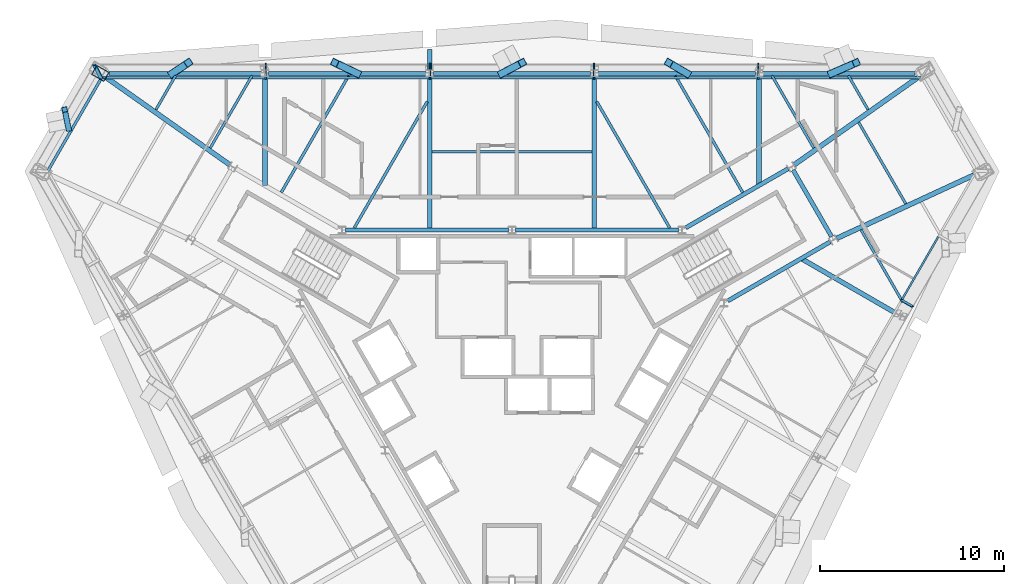
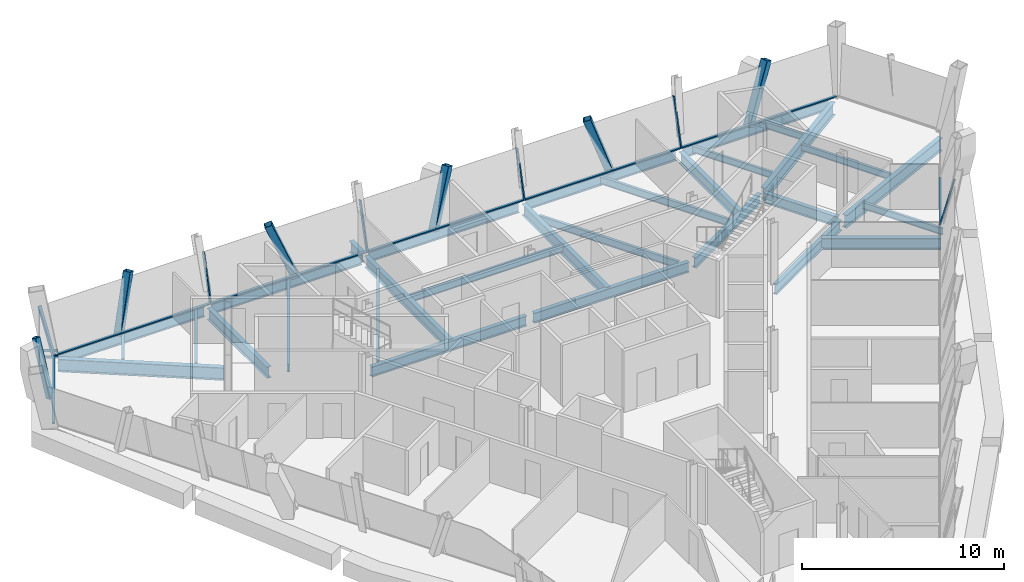
# One storey, part 5 of 13: 30 beams, 20 members, 3 elements without a shape of their own.
"""IFC4 building model written with IfcOpenShell, lengths in metres."""

from ifc_helpers import new_model, si_unit, direction, frame, origin, origin_2d, place, context, subcontext, project, spatial, rectangle, hollow_rectangle, i_section, extrude, material, material_profile, profile_set, type_object, element, aggregate, save


model = new_model("IFC4")

# Units and contexts
model_context = context("Model", 3, precision=1e-05, world=origin(), true_north=direction((0.0, 1.0)))
body_context = subcontext(model_context, "Body", "Model", "MODEL_VIEW")
ifc_project = project(units=[si_unit("LENGTHUNIT", "METRE"), si_unit("AREAUNIT", "SQUARE_METRE"), si_unit("VOLUMEUNIT", "CUBIC_METRE"), si_unit("PLANEANGLEUNIT", "RADIAN"), si_unit("MASSUNIT", "GRAM", prefix="KILO")], contexts=[model_context])

# Site, building, storey
site_placement = place(None, origin())
site = spatial("IfcSite", under=ifc_project, at=site_placement, CompositionType="ELEMENT")
building_placement = place(site_placement, origin())
building = spatial("IfcBuilding", under=site, at=building_placement, Name="Verrane Prism Tower", CompositionType="ELEMENT")
storey_placement = place(building_placement, frame((0.0, 0.0, 243.39990234375)))
storey = spatial("IfcBuildingStorey", under=building, at=storey_placement, Name="L61", CompositionType="ELEMENT", Elevation=243.39990234375)

# Member
ifc_material_1 = material(Name="Steel A500 Grade C", Category="steel")
ifc_material_profile_1 = material_profile(ifc_material_1, hollow_rectangle(XDim=0.3046875, YDim=0.3046875, WallThickness=0.0126953125, InnerFilletRadius=0.00634765625, OuterFilletRadius=0.01904296875, at=origin_2d()), Name="HSS12x12x1/2")
ifc_profile_set_1 = profile_set([ifc_material_profile_1], Name="Steel A500 Grade C")
member_type_1 = type_object("IfcMemberType", Name="Chamfer brace HSS12x12x1/2", PredefinedType="BRACE", material=ifc_profile_set_1)
member_1_placement = place(storey_placement, frame((-24.163818359375, 13.526611328125, -0.242431640625), z_axis=(-0.065135196987, 0.315712381741, 0.946616658489), x_axis=(-0.979373884975, -0.202056411502, 0.0)))
element("IfcMember", 1, at=member_1_placement, inside=storey, type_object=member_type_1, Name="Chamfer brace NW0 L61", PredefinedType="BRACE", context=body_context, shape_type="SweptSolid", body=[
    extrude(hollow_rectangle(XDim=0.3046875, YDim=0.3046875, WallThickness=0.0126953125, InnerFilletRadius=0.00634765625, OuterFilletRadius=0.01904296875, at=origin_2d()), origin(), (0.0, 0.0, 1.0), 3.283447265625),
])

# Beams
ifc_material_2 = material(Name="Steel A992", Category="steel")
ifc_material_profile_2 = material_profile(ifc_material_2, i_section(OverallWidth=0.23046875, OverallDepth=0.6171875, WebThickness=0.01318359375, FlangeThickness=0.022216796875, FilletRadius=0.012939453125, at=origin_2d()), Name="W24x94")
ifc_profile_set_2 = profile_set([ifc_material_profile_2], Name="Steel A992")
beam_type_1 = type_object("IfcBeamType", Name="Core ring girder W24x94", PredefinedType="BEAM", material=ifc_profile_set_2)
beam_1_placement = place(storey_placement, frame((11.759521484375, 4.135009765625, -0.55859375), z_axis=(0.866080992722, 0.499903704773, 0.0), x_axis=(-0.499903704773, 0.866080992722, 0.0)))
element("IfcBeam", 2, at=beam_1_placement, inside=storey, type_object=beam_type_1, Name="Core ring girder L61", PredefinedType="BEAM", context=body_context, shape_type="SweptSolid", body=[
    extrude(i_section(OverallWidth=0.23046875, OverallDepth=0.6171875, WebThickness=0.01318359375, FlangeThickness=0.022216796875, FilletRadius=0.012939453125, at=origin_2d()), origin(), (0.0, 0.0, 1.0), 6.451904296875),
])
beam_2_placement = place(storey_placement, frame((17.419677734375, 7.6337890625, -0.55859375), z_axis=(-0.500375511519, 0.865808493532, 0.0), x_axis=(-0.865808493532, -0.500375511519, 0.0)))
element("IfcBeam", 3, at=beam_2_placement, inside=storey, type_object=beam_type_1, Name="Core ring girder L61", PredefinedType="BEAM", context=body_context, shape_type="SweptSolid", body=[
    extrude(i_section(OverallWidth=0.23046875, OverallDepth=0.6171875, WebThickness=0.01318359375, FlangeThickness=0.022216796875, FilletRadius=0.012939453125, at=origin_2d()), origin(), (0.0, 0.0, 1.0), 4.195556640625),
])
beam_3_placement = place(storey_placement, frame((15.04736328125, 11.34033203125, -0.55859375), z_axis=(-0.866080992722, -0.499903704773, 0.0), x_axis=(0.499903704773, -0.866080992722, 0.0)))
element("IfcBeam", 4, at=beam_3_placement, inside=storey, type_object=beam_type_1, Name="Core ring girder L61", PredefinedType="BEAM", context=body_context, shape_type="SweptSolid", body=[
    extrude(i_section(OverallWidth=0.23046875, OverallDepth=0.6171875, WebThickness=0.01318359375, FlangeThickness=0.022216796875, FilletRadius=0.012939453125, at=origin_2d()), origin(), (0.0, 0.0, 1.0), 6.451904296875),
])
for number, where, z_axis, x_axis, name in (
    (5, (9.060546875, 8.0, -0.55859375), (-1.0, 0.0, 0.0), (0.0, -1.0, 0.0), "Core ring girder L61"),
    (6, (-0.199462890625, 8.0, -0.55859375), (-1.0, 0.0, 0.0), (0.0, -1.0, 0.0), "Core ring girder L61"),
):
    element("IfcBeam", number, at=place(storey_placement, frame(where, z_axis=z_axis, x_axis=x_axis)), inside=storey, type_object=beam_type_1, Name=name, PredefinedType="BEAM", context=body_context, shape_type="SweptSolid", body=[
        extrude(i_section(OverallWidth=0.23046875, OverallDepth=0.6171875, WebThickness=0.01318359375, FlangeThickness=0.022216796875, FilletRadius=0.012939453125, at=origin_2d()), origin(), (0.0, 0.0, 1.0), 8.861083984375),
    ])
ifc_material_3 = material(Name="Steel A992", Category="steel")
ifc_material_profile_3 = material_profile(ifc_material_3, i_section(OverallWidth=0.2666015625, OverallDepth=0.76708984375, WebThickness=0.014892578125, FlangeThickness=0.023681640625, FilletRadius=0.0166015625, at=origin_2d()), Name="W30x124")
ifc_profile_set_3 = profile_set([ifc_material_profile_3], Name="Steel A992")
beam_type_2 = type_object("IfcBeamType", Name="Corner girder W30x124", PredefinedType="BEAM", material=ifc_profile_set_3)
beam_4_placement = place(storey_placement, frame((25.165283203125, 10.99169921875, -0.603515625), z_axis=(-0.907815050259, -0.419370760215, 0.0), x_axis=(0.419370760215, -0.907815050259, 0.0)))
element("IfcBeam", 7, at=beam_4_placement, inside=storey, type_object=beam_type_2, Name="Corner girder L61", PredefinedType="BEAM", context=body_context, shape_type="SweptSolid", body=[
    extrude(i_section(OverallWidth=0.2666015625, OverallDepth=0.76708984375, WebThickness=0.014892578125, FlangeThickness=0.023681640625, FilletRadius=0.0166015625, at=origin_2d()), origin(), (0.0, 0.0, 1.0), 8.22119140625),
])
for number, where, z_axis, x_axis, name in (
    (8, (22.101806640625, 16.29833984375, -0.603515625), (-0.816932483904, -0.576733315096, 0.0), (0.576733315096, -0.816932483904, 0.0), "Corner girder L61"),
    (9, (-22.101806640625, 16.29833984375, -0.603515625), (0.816932483904, -0.576733315096, 0.0), (0.576733315096, 0.816932483904, 0.0), "Corner girder L61"),
):
    element("IfcBeam", number, at=place(storey_placement, frame(where, z_axis=z_axis, x_axis=x_axis)), inside=storey, type_object=beam_type_2, Name=name, PredefinedType="BEAM", context=body_context, shape_type="SweptSolid", body=[
        extrude(i_section(OverallWidth=0.2666015625, OverallDepth=0.76708984375, WebThickness=0.014892578125, FlangeThickness=0.023681640625, FilletRadius=0.0166015625, at=origin_2d()), origin(), (0.0, 0.0, 1.0), 8.223876953125),
    ])

# Members
ifc_material_4 = material(Name="Steel A500 Grade C", Category="steel")
ifc_material_profile_4 = material_profile(ifc_material_4, hollow_rectangle(XDim=0.406494140625, YDim=0.406494140625, WallThickness=0.01904296875, InnerFilletRadius=0.009521484375, OuterFilletRadius=0.028564453125, at=origin_2d()), Name="HSS16x16x3/4")
ifc_profile_set_4 = profile_set([ifc_material_profile_4], Name="Steel A500 Grade C")
member_type_2 = type_object("IfcMemberType", Name="Facade brace HSS16x16x3/4", PredefinedType="BRACE", material=ifc_profile_set_4)
member_2_placement = place(storey_placement, frame((17.41064453125, 16.530029296875, -0.216552734375), z_axis=(0.383785044478, 0.166114879132, 0.908358347001), x_axis=(-0.397220920063, 0.917723019578, 0.0)))
element("IfcMember", 10, at=member_2_placement, inside=storey, type_object=member_type_2, Name="Facade brace N0 L61", PredefinedType="BRACE", context=body_context, shape_type="SweptSolid", body=[
    extrude(hollow_rectangle(XDim=0.406494140625, YDim=0.406494140625, WallThickness=0.01904296875, InnerFilletRadius=0.009521484375, OuterFilletRadius=0.028564453125, at=origin_2d()), origin(), (0.0, 0.0, 1.0), 3.5185546875),
])
member_3_placement = place(storey_placement, frame((9.536865234375, 16.530029296875, -0.216552734375), z_axis=(-0.294098976873, 0.17193478648, 0.940183078448), x_axis=(-0.504696587331, -0.863296794119, 0.0)))
element("IfcMember", 11, at=member_3_placement, inside=storey, type_object=member_type_2, Name="Facade brace N1 L61", PredefinedType="BRACE", context=body_context, shape_type="SweptSolid", body=[
    extrude(hollow_rectangle(XDim=0.406494140625, YDim=0.406494140625, WallThickness=0.01904296875, InnerFilletRadius=0.009521484375, OuterFilletRadius=0.028564453125, at=origin_2d()), origin(), (0.0, 0.0, 1.0), 3.3994140625),
])
member_4_placement = place(storey_placement, frame((-0.553466796875, 16.530029296875, -0.216552734375), z_axis=(0.324974313781, 0.170126504962, 0.930294935863), x_axis=(-0.463797046659, 0.885941476346, 0.0)))
element("IfcMember", 12, at=member_4_placement, inside=storey, type_object=member_type_2, Name="Facade brace N2 L61", PredefinedType="BRACE", context=body_context, shape_type="SweptSolid", body=[
    extrude(hollow_rectangle(XDim=0.406494140625, YDim=0.406494140625, WallThickness=0.01904296875, InnerFilletRadius=0.009521484375, OuterFilletRadius=0.028564453125, at=origin_2d()), origin(), (0.0, 0.0, 1.0), 3.435546875),
])
member_5_placement = place(storey_placement, frame((-8.431396484375, 16.530029296875, -0.216552734375), z_axis=(-0.354168874241, 0.168230215264, 0.9199255422), x_axis=(-0.429056814568, -0.903277504354, 0.0)))
element("IfcMember", 13, at=member_5_placement, inside=storey, type_object=member_type_2, Name="Facade brace N3 L61", PredefinedType="BRACE", context=body_context, shape_type="SweptSolid", body=[
    extrude(hollow_rectangle(XDim=0.406494140625, YDim=0.406494140625, WallThickness=0.01904296875, InnerFilletRadius=0.009521484375, OuterFilletRadius=0.028564453125, at=origin_2d()), origin(), (0.0, 0.0, 1.0), 3.47412109375),
])
member_6_placement = place(storey_placement, frame((-18.516357421875, 16.530029296875, -0.216552734375), z_axis=(0.261802131809, 0.173616150568, 0.949377204299), x_axis=(-0.552674107062, 0.833397463029, 0.0)))
element("IfcMember", 14, at=member_6_placement, inside=storey, type_object=member_type_2, Name="Facade brace N4 L61", PredefinedType="BRACE", context=body_context, shape_type="SweptSolid", body=[
    extrude(hollow_rectangle(XDim=0.406494140625, YDim=0.406494140625, WallThickness=0.01904296875, InnerFilletRadius=0.009521484375, OuterFilletRadius=0.028564453125, at=origin_2d()), origin(), (0.0, 0.0, 1.0), 3.366455078125),
])

# Beams
ifc_material_5 = material(Name="Steel A992", Category="steel")
ifc_material_profile_5 = material_profile(ifc_material_5, i_section(OverallWidth=0.140380859375, OverallDepth=0.40380859375, WebThickness=0.007080078125, FlangeThickness=0.01123046875, FilletRadius=0.01025390625, at=origin_2d()), Name="W16x31")
ifc_profile_set_5 = profile_set([ifc_material_profile_5], Name="Steel A992")
beam_type_3 = type_object("IfcBeamType", Name="Floor beam W16x31", PredefinedType="BEAM", material=ifc_profile_set_5)
beam_5_placement = place(storey_placement, frame((19.4033203125, 14.556640625, -0.36181640625), z_axis=(-0.49993256484, 0.866064333992, 0.0), x_axis=(-0.866064333992, -0.49993256484, 0.0)))
element("IfcBeam", 15, at=beam_5_placement, inside=storey, type_object=beam_type_3, Name="Floor beam L61", PredefinedType="BEAM", context=body_context, shape_type="SweptSolid", body=[
    extrude(i_section(OverallWidth=0.140380859375, OverallDepth=0.40380859375, WebThickness=0.007080078125, FlangeThickness=0.01123046875, FilletRadius=0.01025390625, at=origin_2d()), origin(), (0.0, 0.0, 1.0), 2.145751953125),
])
for number, where, z_axis, x_axis, name in (
    (16, (16.44384765625, 12.46728515625, -0.36181640625), (-0.499969718208, 0.866042886279, 0.0), (-0.866042886279, -0.499969718208, 0.0), "Floor beam L61"),
    (17, (-16.44384765625, 12.46728515625, -0.36181640625), (0.499969718208, 0.866042886279, 0.0), (-0.866042886279, 0.499969718208, 0.0), "Floor beam L61"),
):
    element("IfcBeam", number, at=place(storey_placement, frame(where, z_axis=z_axis, x_axis=x_axis)), inside=storey, type_object=beam_type_3, Name=name, PredefinedType="BEAM", context=body_context, shape_type="SweptSolid", body=[
        extrude(i_section(OverallWidth=0.140380859375, OverallDepth=0.40380859375, WebThickness=0.007080078125, FlangeThickness=0.01123046875, FilletRadius=0.01025390625, at=origin_2d()), origin(), (0.0, 0.0, 1.0), 4.558349609375),
    ])
beam_6_placement = place(storey_placement, frame((-19.4033203125, 14.556640625, -0.36181640625), z_axis=(0.49993256484, 0.866064333992, 0.0), x_axis=(-0.866064333992, 0.49993256484, 0.0)))
element("IfcBeam", 18, at=beam_6_placement, inside=storey, type_object=beam_type_3, Name="Floor beam L61", PredefinedType="BEAM", context=body_context, shape_type="SweptSolid", body=[
    extrude(i_section(OverallWidth=0.140380859375, OverallDepth=0.40380859375, WebThickness=0.007080078125, FlangeThickness=0.01123046875, FilletRadius=0.01025390625, at=origin_2d()), origin(), (0.0, 0.0, 1.0), 2.145751953125),
])
beam_7_placement = place(storey_placement, frame((21.30126953125, 4.05615234375, -0.36181640625), z_axis=(-0.500002007077, 0.866024244995, 0.0), x_axis=(-0.866024244995, -0.500002007077, 0.0)))
element("IfcBeam", 19, at=beam_7_placement, inside=storey, type_object=beam_type_3, Name="Floor beam L61", PredefinedType="BEAM", context=body_context, shape_type="SweptSolid", body=[
    extrude(i_section(OverallWidth=0.140380859375, OverallDepth=0.40380859375, WebThickness=0.007080078125, FlangeThickness=0.01123046875, FilletRadius=0.01025390625, at=origin_2d()), origin(), (0.0, 0.0, 1.0), 4.56103515625),
])
beam_8_placement = place(storey_placement, frame((21.457275390625, 9.42578125, -0.36181640625), z_axis=(-0.499992949462, 0.866029474376, 0.0), x_axis=(-0.866029474376, -0.499992949462, 0.0)))
element("IfcBeam", 20, at=beam_8_placement, inside=storey, type_object=beam_type_3, Name="Floor beam L61", PredefinedType="BEAM", context=body_context, shape_type="SweptSolid", body=[
    extrude(i_section(OverallWidth=0.140380859375, OverallDepth=0.40380859375, WebThickness=0.007080078125, FlangeThickness=0.01123046875, FilletRadius=0.01025390625, at=origin_2d()), origin(), (0.0, 0.0, 1.0), 5.13037109375),
])
ifc_material_6 = material(Name="Steel A992", Category="steel")
ifc_material_profile_6 = material_profile(ifc_material_6, i_section(OverallWidth=0.15234375, OverallDepth=0.449462890625, WebThickness=0.007568359375, FlangeThickness=0.0107421875, FilletRadius=0.01025390625, at=origin_2d()), Name="W18x35")
ifc_profile_set_6 = profile_set([ifc_material_profile_6], Name="Steel A992")
beam_type_4 = type_object("IfcBeamType", Name="Floor beam W18x35", PredefinedType="BEAM", material=ifc_profile_set_6)
beam_9_placement = place(storey_placement, frame((12.57421875, 10.042236328125, -0.384765625), z_axis=(-0.500010598107, 0.866019284878, 0.0), x_axis=(-0.866019284878, -0.500010598107, 0.0)))
element("IfcBeam", 21, at=beam_9_placement, inside=storey, type_object=beam_type_4, Name="Floor beam L61", PredefinedType="BEAM", context=body_context, shape_type="SweptSolid", body=[
    extrude(i_section(OverallWidth=0.15234375, OverallDepth=0.449462890625, WebThickness=0.007568359375, FlangeThickness=0.0107421875, FilletRadius=0.01025390625, at=origin_2d()), origin(), (0.0, 0.0, 1.0), 7.358642578125),
])
beam_10_placement = place(storey_placement, frame((8.59326171875, 8.114990234375, -0.384765625), z_axis=(-0.499998823592, 0.866026082983, 0.0), x_axis=(-0.866026082983, -0.499998823592, 0.0)))
element("IfcBeam", 22, at=beam_10_placement, inside=storey, type_object=beam_type_4, Name="Floor beam L61", PredefinedType="BEAM", context=body_context, shape_type="SweptSolid", body=[
    extrude(i_section(OverallWidth=0.15234375, OverallDepth=0.449462890625, WebThickness=0.007568359375, FlangeThickness=0.0107421875, FilletRadius=0.01025390625, at=origin_2d()), origin(), (0.0, 0.0, 1.0), 7.95263671875),
])
beam_11_placement = place(storey_placement, frame((-4.363037109375, 12.264892578125, -0.384765625), z_axis=(1.0, 0.0, 0.0), x_axis=(0.0, 1.0, 0.0)))
element("IfcBeam", 23, at=beam_11_placement, inside=storey, type_object=beam_type_4, Name="Floor beam L61", PredefinedType="BEAM", context=body_context, shape_type="SweptSolid", body=[
    extrude(i_section(OverallWidth=0.15234375, OverallDepth=0.449462890625, WebThickness=0.007568359375, FlangeThickness=0.0107421875, FilletRadius=0.01025390625, at=origin_2d()), origin(), (0.0, 0.0, 1.0), 8.72607421875),
])
beam_12_placement = place(storey_placement, frame((-8.59326171875, 8.114990234375, -0.384765625), z_axis=(0.499998823592, 0.866026082983, 0.0), x_axis=(-0.866026082983, 0.499998823592, 0.0)))
element("IfcBeam", 24, at=beam_12_placement, inside=storey, type_object=beam_type_4, Name="Floor beam L61", PredefinedType="BEAM", context=body_context, shape_type="SweptSolid", body=[
    extrude(i_section(OverallWidth=0.15234375, OverallDepth=0.449462890625, WebThickness=0.007568359375, FlangeThickness=0.0107421875, FilletRadius=0.01025390625, at=origin_2d()), origin(), (0.0, 0.0, 1.0), 7.95263671875),
])
beam_13_placement = place(storey_placement, frame((-12.57421875, 10.042236328125, -0.384765625), z_axis=(0.500010598107, 0.866019284878, 0.0), x_axis=(-0.866019284878, 0.500010598107, 0.0)))
element("IfcBeam", 25, at=beam_13_placement, inside=storey, type_object=beam_type_4, Name="Floor beam L61", PredefinedType="BEAM", context=body_context, shape_type="SweptSolid", body=[
    extrude(i_section(OverallWidth=0.15234375, OverallDepth=0.449462890625, WebThickness=0.007568359375, FlangeThickness=0.0107421875, FilletRadius=0.01025390625, at=origin_2d()), origin(), (0.0, 0.0, 1.0), 7.358642578125),
])

# Member
ifc_material_7 = material(Name="Steel A572 Grade 50", Category="steel")
ifc_material_profile_7 = material_profile(ifc_material_7, hollow_rectangle(XDim=0.60009765625, YDim=0.800048828125, WallThickness=0.050048828125, at=origin_2d()), Name="BOX 800x600x50")
ifc_profile_set_7 = profile_set([ifc_material_profile_7], Name="Steel A572 Grade 50")
member_type_3 = type_object("IfcMemberType", Name="Kink node BOX 800x600x50", PredefinedType="COLLAR", material=ifc_profile_set_7)
member_7_placement = place(storey_placement, frame((-22.43359375, 16.5361328125, -0.06494140625), z_axis=(0.0, 0.0, 1.0), x_axis=(0.5, 0.866025403784, 0.0)))
element("IfcMember", 26, at=member_7_placement, inside=storey, type_object=member_type_3, Name="Kink node MC4 L61", PredefinedType="COLLAR", context=body_context, shape_type="SweptSolid", body=[
    extrude(hollow_rectangle(XDim=0.60009765625, YDim=0.800048828125, WallThickness=0.050048828125, at=origin_2d()), origin(), (0.0, 0.0, 1.0), 0.130126953125),
])

# Curtain wall, member
ifc_material_8 = material(Name="Aluminium framed insulated glazing", Category="aluminium")
curtain_wall_type_1 = type_object("IfcCurtainWallType", Name="Curtain wall CW-C 4200 module", PredefinedType="NOTDEFINED", material=ifc_material_8)
curtain_wall_1_placement = place(storey_placement, origin())
curtain_wall_1 = element("IfcCurtainWall", 27, at=curtain_wall_1_placement, inside=storey, type_object=curtain_wall_type_1, Name="Glazed curtain wall south-east face L61", PredefinedType="NOTDEFINED")
ifc_material_9 = material(Name="Aluminium alloy 6063-T6", Category="aluminium")
ifc_material_profile_8 = material_profile(ifc_material_9, rectangle(XDim=0.139892578125, YDim=0.050048828125, at=origin_2d()), Name="Mullion 50x140 aluminium")
ifc_profile_set_8 = profile_set([ifc_material_profile_8], Name="Aluminium alloy 6063-T6")
member_type_4 = type_object("IfcMemberType", Name="Mullion 50x140 aluminium", PredefinedType="MULLION", material=ifc_profile_set_8)
member_8_placement = place(storey_placement, frame((21.232177734375, 4.171630859375, 0.0), z_axis=(0.216367259975, -0.124870835096, 0.968293593572), x_axis=(-0.852209741799, -0.508071565066, 0.124907328667)))
member_8 = element("IfcMember", 28, at=member_8_placement, type_object=member_type_4, Name="CW59.6 mullion 10", PredefinedType="MULLION", context=body_context, shape_type="SweptSolid", body=[
    extrude(rectangle(XDim=0.139892578125, YDim=0.050048828125, at=origin_2d()), origin(), (0.0, 0.0, 1.0), 2.8017578125),
])

# Curtain wall, members
ifc_material_10 = material(Name="Aluminium framed insulated glazing", Category="aluminium")
curtain_wall_type_2 = type_object("IfcCurtainWallType", Name="Curtain wall CW-A 8400 module", PredefinedType="NOTDEFINED", material=ifc_material_10)
curtain_wall_2_placement = place(storey_placement, origin())
curtain_wall_2 = element("IfcCurtainWall", 29, at=curtain_wall_2_placement, inside=storey, type_object=curtain_wall_type_2, Name="Glazed curtain wall north face L61", PredefinedType="NOTDEFINED")
ifc_material_11 = material(Name="Aluminium alloy 6063-T6", Category="aluminium")
ifc_material_profile_9 = material_profile(ifc_material_11, rectangle(XDim=0.199951171875, YDim=0.070068359375, at=origin_2d()), Name="Mullion 70x200 aluminium")
ifc_profile_set_9 = profile_set([ifc_material_profile_9], Name="Aluminium alloy 6063-T6")
member_type_5 = type_object("IfcMemberType", Name="Mullion 70x200 aluminium", PredefinedType="MULLION", material=ifc_profile_set_9)
member_9_placement = place(storey_placement, frame((13.415771484375, 16.3017578125, 0.0), z_axis=(0.0, 0.249827945556, 0.968290244513), x_axis=(0.0, 0.968290244513, -0.249827945556)))
member_9 = element("IfcMember", 30, at=member_9_placement, type_object=member_type_5, Name="CW59.2 mullion 2", PredefinedType="MULLION", context=body_context, shape_type="SweptSolid", body=[
    extrude(rectangle(XDim=0.199951171875, YDim=0.070068359375, at=origin_2d()), origin(), (0.0, 0.0, 1.0), 2.8017578125),
])
member_10_placement = place(storey_placement, frame((4.471923828125, 16.3017578125, 0.0), z_axis=(0.0, 0.249827945556, 0.968290244513), x_axis=(0.0, 0.968290244513, -0.249827945556)))
member_10 = element("IfcMember", 31, at=member_10_placement, type_object=member_type_5, Name="CW59.2 mullion 3", PredefinedType="MULLION", context=body_context, shape_type="SweptSolid", body=[
    extrude(rectangle(XDim=0.199951171875, YDim=0.070068359375, at=origin_2d()), origin(), (0.0, 0.0, 1.0), 2.8017578125),
])
member_11_placement = place(storey_placement, frame((-4.471923828125, 16.3017578125, 0.0), z_axis=(0.0, 0.249827945556, 0.968290244513), x_axis=(0.0, 0.968290244513, -0.249827945556)))
member_11 = element("IfcMember", 32, at=member_11_placement, type_object=member_type_5, Name="CW59.2 mullion 4", PredefinedType="MULLION", context=body_context, shape_type="SweptSolid", body=[
    extrude(rectangle(XDim=0.199951171875, YDim=0.070068359375, at=origin_2d()), origin(), (0.0, 0.0, 1.0), 2.8017578125),
])
member_12_placement = place(storey_placement, frame((-13.415771484375, 16.3017578125, 0.0), z_axis=(0.0, 0.249827945556, 0.968290244513), x_axis=(0.0, 0.968290244513, -0.249827945556)))
member_12 = element("IfcMember", 33, at=member_12_placement, type_object=member_type_5, Name="CW59.2 mullion 5", PredefinedType="MULLION", context=body_context, shape_type="SweptSolid", body=[
    extrude(rectangle(XDim=0.199951171875, YDim=0.070068359375, at=origin_2d()), origin(), (0.0, 0.0, 1.0), 2.8017578125),
])

# Curtain wall, member
curtain_wall_3_placement = place(storey_placement, origin())
curtain_wall_3 = element("IfcCurtainWall", 34, at=curtain_wall_3_placement, inside=storey, type_object=curtain_wall_type_2, Name="Glazed curtain wall north-west corner L61", PredefinedType="NOTDEFINED")
member_13_placement = place(storey_placement, frame((-22.377197265625, 16.271484375, 0.0), z_axis=(-0.136448008455, 0.257486431098, 0.956599539405), x_axis=(-0.989180326664, 0.01711726259, -0.145702713298)))
member_13 = element("IfcMember", 35, at=member_13_placement, type_object=member_type_5, Name="CW59.3 mullion 1", PredefinedType="MULLION", context=body_context, shape_type="SweptSolid", body=[
    extrude(rectangle(XDim=0.199951171875, YDim=0.070068359375, at=origin_2d()), origin(), (0.0, 0.0, 1.0), 2.8359375),
])

# Beams
ifc_material_12 = material(Name="Steel A992", Category="steel")
ifc_material_profile_10 = material_profile(ifc_material_12, i_section(OverallWidth=0.25390625, OverallDepth=0.683349609375, WebThickness=0.012451171875, FlangeThickness=0.01904296875, FilletRadius=0.01513671875, at=origin_2d()), Name="W27x94")
ifc_profile_set_10 = profile_set([ifc_material_profile_10], Name="Steel A992")
beam_type_5 = type_object("IfcBeamType", Name="Radial girder W27x94", PredefinedType="BEAM", material=ifc_profile_set_10)
beam_14_placement = place(storey_placement, frame((13.4599609375, 16.3369140625, -0.5615234375), z_axis=(0.0, -1.0, 0.0), x_axis=(1.0, 0.0, 0.0)))
element("IfcBeam", 36, at=beam_14_placement, inside=storey, type_object=beam_type_5, Name="Radial girder L61", PredefinedType="BEAM", context=body_context, shape_type="SweptSolid", body=[
    extrude(i_section(OverallWidth=0.25390625, OverallDepth=0.683349609375, WebThickness=0.012451171875, FlangeThickness=0.01904296875, FilletRadius=0.01513671875, at=origin_2d()), origin(), (0.0, 0.0, 1.0), 5.91259765625),
])
for number, where, z_axis, x_axis, name in (
    (37, (4.489990234375, 16.3369140625, -0.5615234375), (0.0, -1.0, 0.0), (1.0, 0.0, 0.0), "Radial girder L61"),
    (38, (-4.489990234375, 16.3369140625, -0.5615234375), (0.0, -1.0, 0.0), (1.0, 0.0, 0.0), "Radial girder L61"),
):
    element("IfcBeam", number, at=place(storey_placement, frame(where, z_axis=z_axis, x_axis=x_axis)), inside=storey, type_object=beam_type_5, Name=name, PredefinedType="BEAM", context=body_context, shape_type="SweptSolid", body=[
        extrude(i_section(OverallWidth=0.25390625, OverallDepth=0.683349609375, WebThickness=0.012451171875, FlangeThickness=0.01904296875, FilletRadius=0.01513671875, at=origin_2d()), origin(), (0.0, 0.0, 1.0), 8.3369140625),
    ])
beam_15_placement = place(storey_placement, frame((-13.4599609375, 16.3369140625, -0.5615234375), z_axis=(0.0, -1.0, 0.0), x_axis=(1.0, 0.0, 0.0)))
element("IfcBeam", 39, at=beam_15_placement, inside=storey, type_object=beam_type_5, Name="Radial girder L61", PredefinedType="BEAM", context=body_context, shape_type="SweptSolid", body=[
    extrude(i_section(OverallWidth=0.25390625, OverallDepth=0.683349609375, WebThickness=0.012451171875, FlangeThickness=0.01904296875, FilletRadius=0.01513671875, at=origin_2d()), origin(), (0.0, 0.0, 1.0), 5.91259765625),
])
beam_16_placement = place(storey_placement, frame((20.8828125, 3.486572265625, -0.5615234375), z_axis=(-0.866035066882, 0.499983262651, 0.0), x_axis=(-0.499983262651, -0.866035066882, 0.0)))
element("IfcBeam", 40, at=beam_16_placement, inside=storey, type_object=beam_type_5, Name="Radial girder L61", PredefinedType="BEAM", context=body_context, shape_type="SweptSolid", body=[
    extrude(i_section(OverallWidth=0.25390625, OverallDepth=0.683349609375, WebThickness=0.012451171875, FlangeThickness=0.01904296875, FilletRadius=0.01513671875, at=origin_2d()), origin(), (0.0, 0.0, 1.0), 5.915283203125),
])
beam_17_placement = place(storey_placement, frame((-4.489990234375, 16.718994140625, -0.5615234375), z_axis=(0.0, 1.0, 0.0), x_axis=(-1.0, 0.0, 0.0)))
element("IfcBeam", 41, at=beam_17_placement, inside=storey, type_object=beam_type_5, Name="Cantilever girder L61", PredefinedType="BEAM", context=body_context, shape_type="SweptSolid", body=[
    extrude(i_section(OverallWidth=0.25390625, OverallDepth=0.683349609375, WebThickness=0.012451171875, FlangeThickness=0.01904296875, FilletRadius=0.01513671875, at=origin_2d()), origin(), (0.0, 0.0, 1.0), 1.121337890625),
])
ifc_material_13 = material(Name="Steel A992", Category="steel")
ifc_material_profile_11 = material_profile(ifc_material_13, i_section(OverallWidth=0.23046875, OverallDepth=0.6171875, WebThickness=0.01318359375, FlangeThickness=0.022216796875, FilletRadius=0.012939453125, at=origin_2d()), Name="W24x94")
ifc_profile_set_11 = profile_set([ifc_material_profile_11], Name="Steel A992")
beam_type_6 = type_object("IfcBeamType", Name="Spandrel beam W24x94", PredefinedType="SPANDREL", material=ifc_profile_set_11)
beam_18_placement = place(storey_placement, frame((21.968017578125, 16.530029296875, -0.468505859375), z_axis=(-1.0, 0.0, 0.0), x_axis=(0.0, -1.0, 0.0)))
element("IfcBeam", 42, at=beam_18_placement, inside=storey, type_object=beam_type_6, Name="Spandrel beam L61", PredefinedType="SPANDREL", context=body_context, shape_type="SweptSolid", body=[
    extrude(i_section(OverallWidth=0.23046875, OverallDepth=0.6171875, WebThickness=0.01318359375, FlangeThickness=0.022216796875, FilletRadius=0.012939453125, at=origin_2d()), origin(), (0.0, 0.0, 1.0), 8.30859375),
])
beam_19_placement = place(storey_placement, frame((13.260498046875, 16.530029296875, -0.468505859375), z_axis=(-1.0, 0.0, 0.0), x_axis=(0.0, -1.0, 0.0)))
element("IfcBeam", 43, at=beam_19_placement, inside=storey, type_object=beam_type_6, Name="Spandrel beam L61", PredefinedType="SPANDREL", context=body_context, shape_type="SweptSolid", body=[
    extrude(i_section(OverallWidth=0.23046875, OverallDepth=0.6171875, WebThickness=0.01318359375, FlangeThickness=0.022216796875, FilletRadius=0.012939453125, at=origin_2d()), origin(), (0.0, 0.0, 1.0), 8.571044921875),
])
beam_20_placement = place(storey_placement, frame((4.29052734375, 16.530029296875, -0.468505859375), z_axis=(-1.0, 0.0, 0.0), x_axis=(0.0, -1.0, 0.0)))
element("IfcBeam", 44, at=beam_20_placement, inside=storey, type_object=beam_type_6, Name="Spandrel beam L61", PredefinedType="SPANDREL", context=body_context, shape_type="SweptSolid", body=[
    extrude(i_section(OverallWidth=0.23046875, OverallDepth=0.6171875, WebThickness=0.01318359375, FlangeThickness=0.022216796875, FilletRadius=0.012939453125, at=origin_2d()), origin(), (0.0, 0.0, 1.0), 8.5810546875),
])
beam_21_placement = place(storey_placement, frame((-4.689453125, 16.530029296875, -0.468505859375), z_axis=(-1.0, 0.0, 0.0), x_axis=(0.0, -1.0, 0.0)))
element("IfcBeam", 45, at=beam_21_placement, inside=storey, type_object=beam_type_6, Name="Spandrel beam L61", PredefinedType="SPANDREL", context=body_context, shape_type="SweptSolid", body=[
    extrude(i_section(OverallWidth=0.23046875, OverallDepth=0.6171875, WebThickness=0.01318359375, FlangeThickness=0.022216796875, FilletRadius=0.012939453125, at=origin_2d()), origin(), (0.0, 0.0, 1.0), 8.571044921875),
])
beam_22_placement = place(storey_placement, frame((-13.659423828125, 16.530029296875, -0.468505859375), z_axis=(-1.0, 0.0, 0.0), x_axis=(0.0, -1.0, 0.0)))
element("IfcBeam", 46, at=beam_22_placement, inside=storey, type_object=beam_type_6, Name="Spandrel beam L61", PredefinedType="SPANDREL", context=body_context, shape_type="SweptSolid", body=[
    extrude(i_section(OverallWidth=0.23046875, OverallDepth=0.6171875, WebThickness=0.01318359375, FlangeThickness=0.022216796875, FilletRadius=0.012939453125, at=origin_2d()), origin(), (0.0, 0.0, 1.0), 8.30859375),
])

# Member
ifc_material_14 = material(Name="Aluminium alloy 6063-T6", Category="aluminium")
ifc_material_profile_12 = material_profile(ifc_material_14, rectangle(XDim=0.10009765625, YDim=0.050048828125, at=origin_2d()), Name="Transom 50x100 aluminium")
ifc_profile_set_12 = profile_set([ifc_material_profile_12], Name="Aluminium alloy 6063-T6")
member_type_6 = type_object("IfcMemberType", Name="Transom 50x100 aluminium", PredefinedType="USERDEFINED", material=ifc_profile_set_12)
member_14_placement = place(storey_placement, frame((21.24462890625, 4.193359375, 0.025146484375), z_axis=(0.500010157896, 0.866019539041, 0.0), x_axis=(-0.866019539041, 0.500010157896, 0.0)))
member_14 = element("IfcMember", 47, at=member_14_placement, type_object=member_type_6, Name="CW59.6 transom 10", ObjectType="TRANSOM", PredefinedType="USERDEFINED", context=body_context, shape_type="SweptSolid", body=[
    extrude(rectangle(XDim=0.10009765625, YDim=0.050048828125, at=origin_2d()), origin(), (0.0, 0.0, 1.0), 4.015625),
])

aggregate(curtain_wall_1, [member_8, member_14])

ifc_material_15 = material(Name="Aluminium alloy 6063-T6", Category="aluminium")
ifc_material_profile_13 = material_profile(ifc_material_15, rectangle(XDim=0.14990234375, YDim=0.070068359375, at=origin_2d()), Name="Transom 70x150 aluminium")
ifc_profile_set_13 = profile_set([ifc_material_profile_13], Name="Aluminium alloy 6063-T6")
member_type_7 = type_object("IfcMemberType", Name="Transom 70x150 aluminium", PredefinedType="USERDEFINED", material=ifc_profile_set_13)
member_15_placement = place(storey_placement, frame((22.289794921875, 16.3017578125, 0.03515625), z_axis=(-1.0, 0.0, 0.0), x_axis=(0.0, -1.0, 0.0)))
member_15 = element("IfcMember", 48, at=member_15_placement, type_object=member_type_7, Name="CW59.2 transom 1", ObjectType="TRANSOM", PredefinedType="USERDEFINED", context=body_context, shape_type="SweptSolid", body=[
    extrude(rectangle(XDim=0.14990234375, YDim=0.070068359375, at=origin_2d()), origin(), (0.0, 0.0, 1.0), 8.8388671875),
])

member_16_placement = place(storey_placement, frame((13.380859375, 16.3017578125, 0.03515625), z_axis=(-1.0, 0.0, 0.0), x_axis=(0.0, -1.0, 0.0)))
member_16 = element("IfcMember", 49, at=member_16_placement, type_object=member_type_7, Name="CW59.2 transom 2", ObjectType="TRANSOM", PredefinedType="USERDEFINED", context=body_context, shape_type="SweptSolid", body=[
    extrude(rectangle(XDim=0.14990234375, YDim=0.070068359375, at=origin_2d()), origin(), (0.0, 0.0, 1.0), 8.8740234375),
])

member_17_placement = place(storey_placement, frame((4.43701171875, 16.3017578125, 0.03515625), z_axis=(-1.0, 0.0, 0.0), x_axis=(0.0, -1.0, 0.0)))
member_17 = element("IfcMember", 50, at=member_17_placement, type_object=member_type_7, Name="CW59.2 transom 3", ObjectType="TRANSOM", PredefinedType="USERDEFINED", context=body_context, shape_type="SweptSolid", body=[
    extrude(rectangle(XDim=0.14990234375, YDim=0.070068359375, at=origin_2d()), origin(), (0.0, 0.0, 1.0), 8.8740234375),
])

member_18_placement = place(storey_placement, frame((-4.5068359375, 16.3017578125, 0.03515625), z_axis=(-1.0, 0.0, 0.0), x_axis=(0.0, -1.0, 0.0)))
member_18 = element("IfcMember", 51, at=member_18_placement, type_object=member_type_7, Name="CW59.2 transom 4", ObjectType="TRANSOM", PredefinedType="USERDEFINED", context=body_context, shape_type="SweptSolid", body=[
    extrude(rectangle(XDim=0.14990234375, YDim=0.070068359375, at=origin_2d()), origin(), (0.0, 0.0, 1.0), 8.8740234375),
])

member_19_placement = place(storey_placement, frame((-13.450927734375, 16.3017578125, 0.03515625), z_axis=(-1.0, 0.0, 0.0), x_axis=(0.0, -1.0, 0.0)))
member_19 = element("IfcMember", 52, at=member_19_placement, type_object=member_type_7, Name="CW59.2 transom 5", ObjectType="TRANSOM", PredefinedType="USERDEFINED", context=body_context, shape_type="SweptSolid", body=[
    extrude(rectangle(XDim=0.14990234375, YDim=0.070068359375, at=origin_2d()), origin(), (0.0, 0.0, 1.0), 8.90869140625),
])

aggregate(curtain_wall_2, [member_9, member_10, member_11, member_12, member_15, member_16, member_17, member_18, member_19])

member_20_placement = place(storey_placement, frame((-22.394775390625, 16.2412109375, 0.03515625), z_axis=(-0.499983322773, -0.866035032172, 0.0), x_axis=(0.866035032172, -0.499983322773, 0.0)))
member_20 = element("IfcMember", 53, at=member_20_placement, type_object=member_type_7, Name="CW59.3 transom 1", ObjectType="TRANSOM", PredefinedType="USERDEFINED", context=body_context, shape_type="SweptSolid", body=[
    extrude(rectangle(XDim=0.14990234375, YDim=0.070068359375, at=origin_2d()), origin(), (0.0, 0.0, 1.0), 5.805908203125),
])

aggregate(curtain_wall_3, [member_13, member_20])

save(model, "model.ifc")
